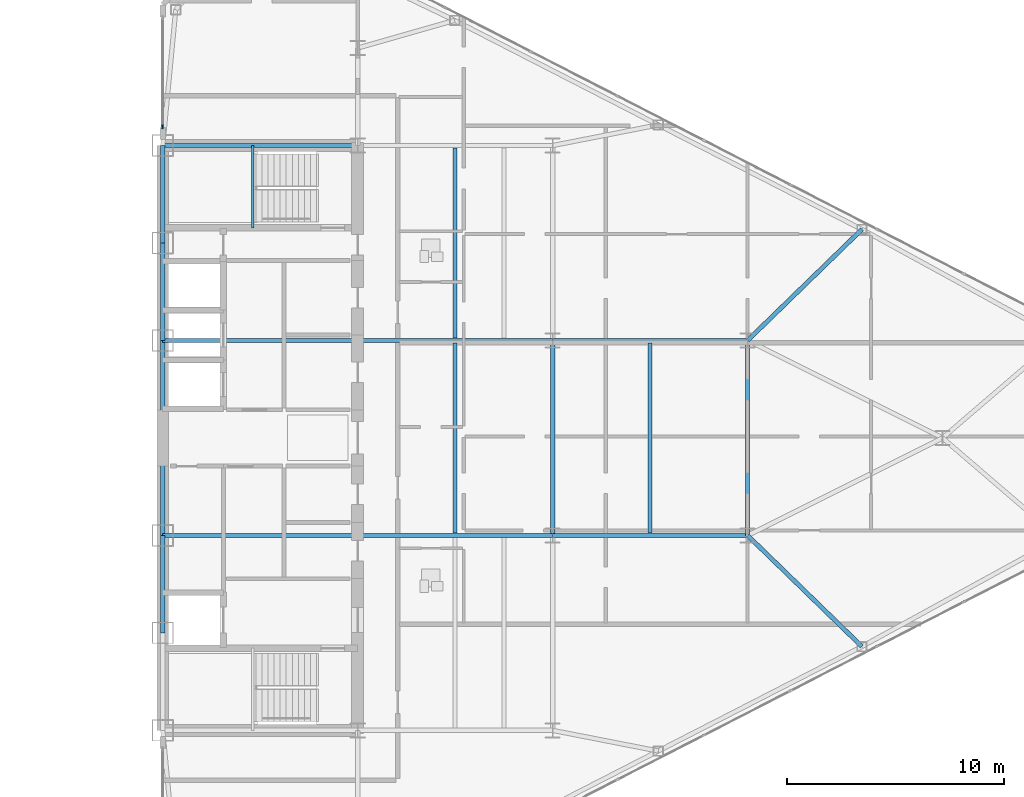
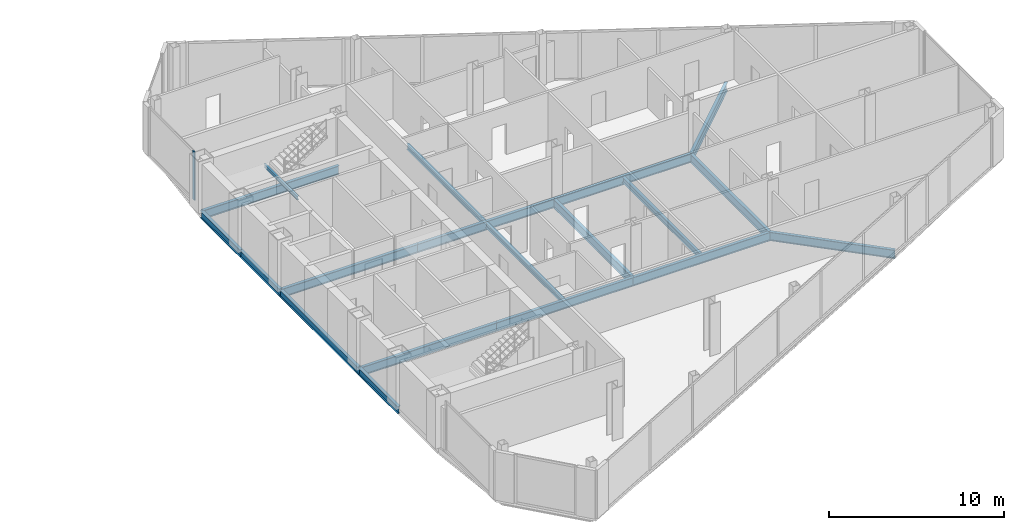
# One storey, part 10 of 22: 19 beams, 1 member, 1 element without a shape of its own.
"""IFC4 building model written with IfcOpenShell, lengths in metres."""

import ifcopenshell
import ifcopenshell.guid

model = None  # the IFC model being written
_history = None  # IfcOwnerHistory: only IFC2X3 demands one
_inside = {}  # id of a spatial element -> (the spatial element, [elements in it])
_under = {}  # id of a project, library or spatial element -> (it, [spatial elements below it])
_declared = {}  # id of a project -> (the project, [libraries it declares])
_typed = {}  # id of a type object -> (the type object, [elements of that type])
_made_of = {}  # id of a material, layer set ... -> (it, [elements and type objects made of it])


def new_model(schema):
    """Start an empty IFC model of exactly this schema.

    Asked for "IFC4X3", IfcOpenShell would pick the latest addendum, in which some entities
    have other attributes; the version numbers below select the first issue.
    IFC2X3 requires an IfcOwnerHistory on every rooted entity: one is made here for all.
    """
    global model, _history
    if schema == "IFC4X3":
        model = ifcopenshell.file(schema_version=(4, 3, 0, 0))
    else:
        model = ifcopenshell.file(schema=schema)
    _inside.clear()
    _under.clear()
    _declared.clear()
    _typed.clear()
    _made_of.clear()
    _history = None
    if model.schema == "IFC2X3":
        org = make("IfcOrganization", Name="unknown")
        user = make(
            "IfcPersonAndOrganization",
            ThePerson=make("IfcPerson", FamilyName="unknown"),
            TheOrganization=org,
        )
        app = make(
            "IfcApplication",
            ApplicationDeveloper=org,
            Version="unknown",
            ApplicationFullName="unknown",
            ApplicationIdentifier="unknown",
        )
        _history = make(
            "IfcOwnerHistory",
            OwningUser=user,
            OwningApplication=app,
            ChangeAction="ADDED",
            CreationDate=0,
        )
    return model


def make(cls, **values):
    """One entity of the class cls with the attributes given. An attribute that is None is left unset."""
    return model.create_entity(
        cls, **{name: value for name, value in values.items() if value is not None}
    )


def rooted(cls, **values):
    """An entity with a GlobalId (a new one), such as an element, a storey or a relation."""
    return make(cls, GlobalId=ifcopenshell.guid.new(), OwnerHistory=_history, **values)


def si_unit(unit_type, name, prefix=None):
    """IfcSIUnit, for example si_unit("LENGTHUNIT", "METRE", prefix="MILLI")."""
    return make("IfcSIUnit", UnitType=unit_type, Prefix=prefix, Name=name)


def assignment(units):
    """IfcUnitAssignment: the units of a project."""
    return None if units is None else make("IfcUnitAssignment", Units=units)


def point(xyz):
    """IfcCartesianPoint."""
    return None if xyz is None else make("IfcCartesianPoint", Coordinates=xyz)


def direction(xyz):
    """IfcDirection."""
    return None if xyz is None else make("IfcDirection", DirectionRatios=xyz)


def frame(location, z_axis=None, x_axis=None):
    """IfcAxis2Placement3D, a coordinate frame: its origin and axes. An axis left out is left unset."""
    return make(
        "IfcAxis2Placement3D",
        Location=point(location),
        Axis=direction(z_axis),
        RefDirection=direction(x_axis),
    )


def frame_2d(location, x_axis=None):
    """IfcAxis2Placement2D, a coordinate frame in the plane: its origin and x axis."""
    return make(
        "IfcAxis2Placement2D", Location=point(location), RefDirection=direction(x_axis)
    )


def origin():
    """The frame at (0, 0, 0) with its axes left unset."""
    return frame((0.0, 0.0, 0.0))


def origin_2d():
    """The frame at (0, 0) in the plane with its x axis left unset."""
    return frame_2d((0.0, 0.0))


def place(relative_to, where):
    """IfcLocalPlacement: puts the frame where relative to a parent placement (None: the world)."""
    return make(
        "IfcLocalPlacement", PlacementRelTo=relative_to, RelativePlacement=where
    )


def context(
    kind, dimensions, precision=None, world=None, true_north=None, identifier=None
):
    """IfcGeometricRepresentationContext, for example the 3D "Model" context."""
    return make(
        "IfcGeometricRepresentationContext",
        ContextIdentifier=identifier,
        ContextType=kind,
        CoordinateSpaceDimension=dimensions,
        Precision=precision,
        WorldCoordinateSystem=world,
        TrueNorth=true_north,
    )


def subcontext(parent, identifier, kind, view, scale=None):
    """IfcGeometricRepresentationSubContext, for example "Body" below "Model"."""
    return make(
        "IfcGeometricRepresentationSubContext",
        ContextIdentifier=identifier,
        ContextType=kind,
        ParentContext=parent,
        TargetScale=scale,
        TargetView=view,
    )


def project(units=None, contexts=None):
    """IfcProject with its units and contexts."""
    return rooted(
        "IfcProject",
        Name="project",
        RepresentationContexts=contexts,
        UnitsInContext=assignment(units),
    )


def spatial(cls, under=None, at=None, **own):
    """A site, building, storey or space (cls), placed at a placement, below another one or the project."""
    s = rooted(cls, ObjectPlacement=at, **own)
    if under is not None:
        _under.setdefault(under.id(), (under, []))[1].append(s)
    return s


def profile(cls, at=None, kind="AREA", **sizes):
    """A parametric profile (cls). Its sizes go by their IFC names, for example OverallWidth=200.0."""
    return make(cls, ProfileType=kind, Position=at, **sizes)


def rectangle(**sizes):
    """IfcRectangleProfileDef."""
    return profile("IfcRectangleProfileDef", **sizes)


def i_section(**sizes):
    """IfcIShapeProfileDef."""
    return profile("IfcIShapeProfileDef", **sizes)


def extrude(swept, where, along, depth):
    """IfcExtrudedAreaSolid: the profile swept, set in the frame where, extruded along a direction by depth."""
    return make(
        "IfcExtrudedAreaSolid",
        SweptArea=swept,
        Position=where,
        ExtrudedDirection=direction(along),
        Depth=depth,
    )


def shape(context_of_items, identifier, shape_type, items):
    """IfcShapeRepresentation: the items that make up one representation, for example the "Body"."""
    return make(
        "IfcShapeRepresentation",
        ContextOfItems=context_of_items,
        RepresentationIdentifier=identifier,
        RepresentationType=shape_type,
        Items=items,
    )


def source(mapping_origin, context_of_items, identifier, shape_type, items):
    """IfcRepresentationMap: a shape defined once, which mapped items show again and again."""
    return make(
        "IfcRepresentationMap",
        MappingOrigin=mapping_origin,
        MappedRepresentation=shape(context_of_items, identifier, shape_type, items),
    )


def transform(
    local_origin,
    x_axis=None,
    y_axis=None,
    z_axis=None,
    scale=None,
    scale2=None,
    scale3=None,
    uniform=True,
):
    """IfcCartesianTransformationOperator3D, or its non-uniform kind. x_axis, y_axis, z_axis: its Axis1, 2, 3."""
    if uniform:
        return make(
            "IfcCartesianTransformationOperator3D",
            Axis1=direction(x_axis),
            Axis2=direction(y_axis),
            LocalOrigin=point(local_origin),
            Scale=scale,
            Axis3=direction(z_axis),
        )
    return make(
        "IfcCartesianTransformationOperator3DnonUniform",
        Axis1=direction(x_axis),
        Axis2=direction(y_axis),
        LocalOrigin=point(local_origin),
        Scale=scale,
        Axis3=direction(z_axis),
        Scale2=scale2,
        Scale3=scale3,
    )


def mapped(mapping_source, mapping_target):
    """IfcMappedItem: shows the shape of a source again, moved by a transform."""
    return make(
        "IfcMappedItem", MappingSource=mapping_source, MappingTarget=mapping_target
    )


def material(Name=None, Category=None):
    """IfcMaterial."""
    return make("IfcMaterial", Name=Name, Category=Category)


def layer(
    of_material, thickness, ventilated=None, Name=None, Category=None, Priority=None
):
    """IfcMaterialLayer: one layer of a wall or slab, of a material (None: an air gap)."""
    return make(
        "IfcMaterialLayer",
        Material=of_material,
        LayerThickness=thickness,
        IsVentilated=ventilated,
        Name=Name,
        Category=Category,
        Priority=Priority,
    )


def layer_set(layers, Name=None):
    """IfcMaterialLayerSet."""
    return make("IfcMaterialLayerSet", MaterialLayers=layers, LayerSetName=Name)


def material_profile(
    of_material, cross_section, Name=None, Category=None, Priority=None
):
    """IfcMaterialProfile: a cross section and its material."""
    return make(
        "IfcMaterialProfile",
        Name=Name,
        Material=of_material,
        Profile=cross_section,
        Priority=Priority,
        Category=Category,
    )


def profile_set(profiles, Name=None, composite=None):
    """IfcMaterialProfileSet."""
    return make(
        "IfcMaterialProfileSet",
        Name=Name,
        MaterialProfiles=profiles,
        CompositeProfile=composite,
    )


def made_of(thing, what):
    """Note that an element or type object is made of a material, layer set ...; save() writes the relation."""
    if what is not None:
        _made_of.setdefault(what.id(), (what, []))[1].append(thing)
    return thing


def type_object(cls, material=None, **own):
    """A type object (cls), such as IfcWallType, which elements share."""
    return made_of(rooted(cls, **own), material)


def type_shapes(of_type, sources):
    """Give a type object the sources (RepresentationMaps) that its elements show as mapped items."""
    of_type.RepresentationMaps = sources


def element(
    cls,
    number,
    at=None,
    inside=None,
    cuts=None,
    type_object=None,
    material=None,
    context=None,
    identifier="Body",
    shape_type=None,
    held_by="IfcProductDefinitionShape",
    body=None,
    shapes=None,
    **own,
):
    """One element of the class cls, such as IfcWall. Its Tag is "e" and its number.

    at: its placement. inside: the storey or other place that contains it. cuts: it is an
    opening in that element (IfcRelVoidsElement). A single representation is given by context,
    identifier, shape_type and body (its items); several are given by shapes. held_by: the class
    of the entity that holds the representations. save() writes the other relations.
    """
    e = rooted(cls, Tag="e%d" % number, ObjectPlacement=at, **own)
    if body is not None:
        shapes = [shape(context, identifier, shape_type, body)]
    if shapes is not None:
        e.Representation = make(held_by, Representations=shapes)
    if inside is not None:
        _inside.setdefault(inside.id(), (inside, []))[1].append(e)
    if cuts is not None:
        rooted(
            "IfcRelVoidsElement", RelatingBuildingElement=cuts, RelatedOpeningElement=e
        )
    if type_object is not None:
        _typed.setdefault(type_object.id(), (type_object, []))[1].append(e)
    return made_of(e, material)


def aggregate(whole, parts):
    """IfcRelAggregates: a whole, such as a stair, and the parts it consists of."""
    return rooted("IfcRelAggregates", RelatingObject=whole, RelatedObjects=parts)


def save(model, path):
    """Write the relations noted so far, then the file.

    IfcRelAggregates (storeys below a building ...), IfcRelContainedInSpatialStructure (elements
    in a storey), IfcRelDefinesByType, IfcRelAssociatesMaterial and IfcRelDeclares: one each for
    every whole, place, type object, material and project.
    """
    for whole, parts in _under.values():
        aggregate(whole, parts)
    for where, things in _inside.values():
        rooted(
            "IfcRelContainedInSpatialStructure",
            RelatedElements=things,
            RelatingStructure=where,
        )
    for kind, things in _typed.values():
        rooted("IfcRelDefinesByType", RelatedObjects=things, RelatingType=kind)
    for what, things in _made_of.values():
        rooted("IfcRelAssociatesMaterial", RelatedObjects=things, RelatingMaterial=what)
    for by, libraries in _declared.values():
        rooted("IfcRelDeclares", RelatingContext=by, RelatedDefinitions=libraries)
    model.write(path)


model = new_model("IFC4")

# Units and contexts
model_context = context("Model", 3, precision=1e-05, world=origin(), true_north=direction((0.0, 1.0)))
body_context = subcontext(model_context, "Body", "Model", "MODEL_VIEW")
ifc_project = project(units=[si_unit("LENGTHUNIT", "METRE"), si_unit("AREAUNIT", "SQUARE_METRE"), si_unit("VOLUMEUNIT", "CUBIC_METRE"), si_unit("PLANEANGLEUNIT", "RADIAN"), si_unit("MASSUNIT", "GRAM", prefix="KILO")], contexts=[model_context])

# Site, building, storey
site_placement = place(None, origin())
site = spatial("IfcSite", under=ifc_project, at=site_placement, CompositionType="ELEMENT")
building_placement = place(site_placement, origin())
building = spatial("IfcBuilding", under=site, at=building_placement, Name="Seokmaru Belvedere", CompositionType="ELEMENT")
storey_placement = place(building_placement, frame((0.0, 0.0, 151.199951171875)))
storey = spatial("IfcBuildingStorey", under=building, at=storey_placement, Name="L40", CompositionType="ELEMENT", Elevation=151.199951171875)

# Beams
ifc_material_1 = material(Name="Steel SM355 (355 MPa)", Category="steel")
ifc_material_profile_1 = material_profile(ifc_material_1, i_section(OverallWidth=0.199951171875, OverallDepth=0.5, WebThickness=0.010009765625, FlangeThickness=0.01611328125, at=origin_2d()), Name="H-500x200x10x16")
ifc_profile_set_1 = profile_set([ifc_material_profile_1], Name="Steel SM355 (355 MPa)")
beam_type_1 = type_object("IfcBeamType", Name="Perimeter Spandrel Beam H-500", PredefinedType="SPANDREL", material=ifc_profile_set_1)
shared_shape_1 = source(origin(), body_context, "Body", "SweptSolid", [
    extrude(i_section(OverallWidth=0.199951171875, OverallDepth=0.5, WebThickness=0.010009765625, FlangeThickness=0.01611328125, at=origin_2d()), origin(), (0.0, 0.0, 1.0), 4.5),
])
for number, where, z_axis, x_axis, name in (
    (1, (27.5, -9.0, -0.469970703125), (0.0, 1.0, 0.0), (-1.0, 0.0, 0.0), "L40 E Portal Spine Spandrel 2"),
    (2, (27.5, 4.5, -0.469970703125), (0.0, 1.0, 0.0), (-1.0, 0.0, 0.0), "L40 E Portal Spine Spandrel 4"),
    (3, (27.5, 9.0, -0.469970703125), (0.0, 1.0, 0.0), (-1.0, 0.0, 0.0), "L40 E Portal Spine Spandrel 5"),
):
    element("IfcBeam", number, at=place(storey_placement, frame(where, z_axis=z_axis, x_axis=x_axis)), inside=storey, type_object=beam_type_1, Name=name, PredefinedType="SPANDREL", context=body_context, shape_type="MappedRepresentation", body=[
        mapped(shared_shape_1, transform((0.0, 0.0, 0.0), scale=1.0)),
    ])
shared_shape_2 = source(origin(), body_context, "Body", "SweptSolid", [
    extrude(i_section(OverallWidth=0.199951171875, OverallDepth=0.5, WebThickness=0.010009765625, FlangeThickness=0.01611328125, at=origin_2d()), origin(), (0.0, 0.0, 1.0), 9.0),
])
type_shapes(beam_type_1, [shared_shape_1, shared_shape_2])
beam_1_placement = place(storey_placement, frame((27.5, -4.5, -0.469970703125), z_axis=(0.0, 1.0, 0.0), x_axis=(-1.0, 0.0, 0.0)))
element("IfcBeam", 4, at=beam_1_placement, inside=storey, type_object=beam_type_1, Name="L40 E Portal Spine Spandrel 3", PredefinedType="SPANDREL", context=body_context, shape_type="MappedRepresentation", body=[
    mapped(shared_shape_2, transform((0.0, 0.0, 0.0), scale=1.0)),
])
ifc_material_profile_2 = material_profile(ifc_material_1, i_section(OverallWidth=0.199951171875, OverallDepth=0.60009765625, WebThickness=0.010986328125, FlangeThickness=0.01708984375, at=origin_2d()), Name="H-600x200x11x17")
ifc_profile_set_2 = profile_set([ifc_material_profile_2], Name="Steel SM355 (355 MPa)")
beam_type_2 = type_object("IfcBeamType", Name="Primary Floor Girder H-600", PredefinedType="BEAM", material=ifc_profile_set_2)
shared_shape_3 = source(origin(), body_context, "Body", "SweptSolid", [
    extrude(i_section(OverallWidth=0.199951171875, OverallDepth=0.60009765625, WebThickness=0.010986328125, FlangeThickness=0.01708984375, at=origin_2d()), origin(), (0.0, 0.0, 1.0), 9.0),
])
for number, where, z_axis, x_axis, name in (
    (5, (45.5, -4.5, -0.52001953125), (0.0, 1.0, 0.0), (-1.0, 0.0, 0.0), "L40 E Interior Grid Girder 2"),
    (6, (27.5, -4.5, -0.52001953125), (1.0, 0.0, 0.0), (0.0, 1.0, 0.0), "L40 E Core Tie Girder 2"),
    (7, (36.5, -4.5, -0.52001953125), (1.0, 0.0, 0.0), (0.0, 1.0, 0.0), "L40 E Wing Primary Girder 2"),
    (8, (27.5, 4.5, -0.52001953125), (1.0, 0.0, 0.0), (0.0, 1.0, 0.0), "L40 E Core Tie Girder 3"),
    (9, (36.5, 4.5, -0.52001953125), (1.0, 0.0, 0.0), (0.0, 1.0, 0.0), "L40 E Wing Primary Girder 3"),
    (10, (27.5, 13.5, -0.52001953125), (1.0, 0.0, 0.0), (0.0, 1.0, 0.0), "L40 E Core Tie Girder 4"),
    (11, (45.5, -4.5, -0.52001953125), (1.0, 0.0, 0.0), (0.0, 1.0, 0.0), "L40 E Outer Wing Girder 1"),
    (12, (45.5, 4.5, -0.52001953125), (1.0, 0.0, 0.0), (0.0, 1.0, 0.0), "L40 E Outer Wing Girder 2"),
    (13, (54.5, -4.5, -0.52001953125), (0.0, 1.0, 0.0), (-1.0, 0.0, 0.0), "L40 E Apex Frame Girder"),
):
    element("IfcBeam", number, at=place(storey_placement, frame(where, z_axis=z_axis, x_axis=x_axis)), inside=storey, type_object=beam_type_2, Name=name, PredefinedType="BEAM", context=body_context, shape_type="MappedRepresentation", body=[
        mapped(shared_shape_3, transform((0.0, 0.0, 0.0), scale=1.0)),
    ])
ifc_material_profile_3 = material_profile(ifc_material_1, i_section(OverallWidth=0.18505859375, OverallDepth=0.389892578125, WebThickness=0.008056640625, FlangeThickness=0.011962890625, at=origin_2d()), Name="H-390x185x8x12")
ifc_profile_set_3 = profile_set([ifc_material_profile_3], Name="Steel SM355 (355 MPa)")
beam_type_3 = type_object("IfcBeamType", Name="Secondary Floor Joist H-350", PredefinedType="JOIST", material=ifc_profile_set_3)
shared_shape_4 = source(origin(), body_context, "Body", "SweptSolid", [
    extrude(i_section(OverallWidth=0.18505859375, OverallDepth=0.389892578125, WebThickness=0.008056640625, FlangeThickness=0.011962890625, at=origin_2d()), origin(), (0.0, 0.0, 1.0), 8.7900390625),
])
type_shapes(beam_type_3, [shared_shape_4])
for number, where, z_axis, x_axis, name in (
    (14, (41.0, -4.39501953125, -0.4150390625), (0.0, 1.0, 0.0), (-1.0, 0.0, 0.0), "L40 E Secondary Floor Joist 2"),
    (15, (41.0, 4.60498046875, -0.4150390625), (0.0, 1.0, 0.0), (-1.0, 0.0, 0.0), "L40 E Secondary Floor Joist 3"),
    (16, (50.0, -4.39501953125, -0.4150390625), (0.0, 1.0, 0.0), (-1.0, 0.0, 0.0), "L40 E Outer Bay Secondary Joist"),
):
    element("IfcBeam", number, at=place(storey_placement, frame(where, z_axis=z_axis, x_axis=x_axis)), inside=storey, type_object=beam_type_3, Name=name, PredefinedType="JOIST", context=body_context, shape_type="MappedRepresentation", body=[
        mapped(shared_shape_4, transform((0.0, 0.0, 0.0), scale=1.0)),
    ])
shared_shape_5 = source(origin(), body_context, "Body", "SweptSolid", [
    extrude(i_section(OverallWidth=0.199951171875, OverallDepth=0.60009765625, WebThickness=0.010986328125, FlangeThickness=0.01708984375, at=origin_2d()), origin(), (0.0, 0.0, 1.0), 7.35986328125),
])
type_shapes(beam_type_2, [shared_shape_3, shared_shape_5])
for number, where, z_axis, x_axis, name in (
    (17, (59.778564453125, -9.62890625, -0.52001953125), (-0.717200745515, 0.696866623273, 0.0), (-0.696866623273, -0.717200745515, 0.0), "L40 E Flank Radial Floor Girder S-3"),
    (18, (59.778564453125, 9.62890625, -0.52001953125), (-0.717200745515, -0.696866623273, 0.0), (0.696866623273, -0.717200745515, 0.0), "L40 E Flank Radial Floor Girder N-3"),
):
    element("IfcBeam", number, at=place(storey_placement, frame(where, z_axis=z_axis, x_axis=x_axis)), inside=storey, type_object=beam_type_2, Name=name, PredefinedType="BEAM", context=body_context, shape_type="MappedRepresentation", body=[
        mapped(shared_shape_5, transform((0.0, 0.0, 0.0), scale=1.0)),
    ])

# Curtain wall, member
ifc_material_2 = material(Name="Bronze Triple Insulating Glass", Category="glass")
ifc_layer = layer(ifc_material_2, 0.195068359375)
ifc_layer_set = layer_set([ifc_layer], Name="Bronze Triple Insulating Glass")
curtain_wall_type = type_object("IfcCurtainWallType", Name="Sky-Lobby and Mid-Rise Curtain Wall System CW-4", PredefinedType="NOTDEFINED", material=ifc_layer_set)
curtain_wall_placement = place(storey_placement, origin())
curtain_wall = element("IfcCurtainWall", 19, at=curtain_wall_placement, inside=storey, type_object=curtain_wall_type, Name="L40 Curtain Wall ESP_2", PredefinedType="NOTDEFINED")
ifc_material_3 = material(Name="Anodised Bronze Aluminium", Category="aluminium")
ifc_material_profile_4 = material_profile(ifc_material_3, rectangle(XDim=0.070068359375, YDim=0.195068359375, at=origin_2d()), Name="CW-M-70x195")
ifc_profile_set_4 = profile_set([ifc_material_profile_4], Name="Anodised Bronze Aluminium")
member_type = type_object("IfcMemberType", Name="Bronze Unitised Mullion 70x195", PredefinedType="MULLION", material=ifc_profile_set_4)
shared_shape_6 = source(origin(), body_context, "Body", "SweptSolid", [
    extrude(rectangle(XDim=0.070068359375, YDim=0.195068359375, at=origin_2d()), origin(), (0.0, 0.0, 1.0), 3.380126953125),
])
type_shapes(member_type, [shared_shape_6])
member_placement = place(storey_placement, frame((27.5, 14.364990234375, 0.0), z_axis=(0.0, 0.0, 1.0), x_axis=(1.0, 0.0, 0.0)))
member = element("IfcMember", 20, at=member_placement, type_object=member_type, Name="CW:L40:ESP_2 Mullion 2", PredefinedType="MULLION", context=body_context, shape_type="MappedRepresentation", body=[
    mapped(shared_shape_6, transform((0.0, 0.0, 0.0), scale=1.0)),
])
aggregate(curtain_wall, [member])

# Beam
ifc_material_profile_5 = material_profile(ifc_material_1, i_section(OverallWidth=0.125, OverallDepth=0.25, WebThickness=0.006103515625, FlangeThickness=0.009033203125, at=origin_2d()), Name="H-250x125x6x9")
ifc_profile_set_5 = profile_set([ifc_material_profile_5], Name="Steel SM355 (355 MPa)")
beam_type_4 = type_object("IfcBeamType", Name="Stair Mid-Landing Support Beam H-250", PredefinedType="JOIST", material=ifc_profile_set_5)
shared_shape_7 = source(origin(), body_context, "Body", "SweptSolid", [
    extrude(i_section(OverallWidth=0.125, OverallDepth=0.25, WebThickness=0.006103515625, FlangeThickness=0.009033203125, at=origin_2d()), origin(), (0.0, 0.0, 1.0), 3.800048828125),
])
type_shapes(beam_type_4, [shared_shape_7])
beam_2_placement = place(storey_placement, frame((31.64990234375, 9.699951171875, 1.47509765625), z_axis=(0.0, 1.0, 0.0), x_axis=(-1.0, 0.0, 0.0)))
element("IfcBeam", 21, at=beam_2_placement, inside=storey, type_object=beam_type_4, Name="L40 Stair ST-E2 Mid-Landing Support Beam 1", PredefinedType="JOIST", context=body_context, shape_type="MappedRepresentation", body=[
    mapped(shared_shape_7, transform((0.0, 0.0, 0.0), scale=1.0)),
])

save(model, "model.ifc")
